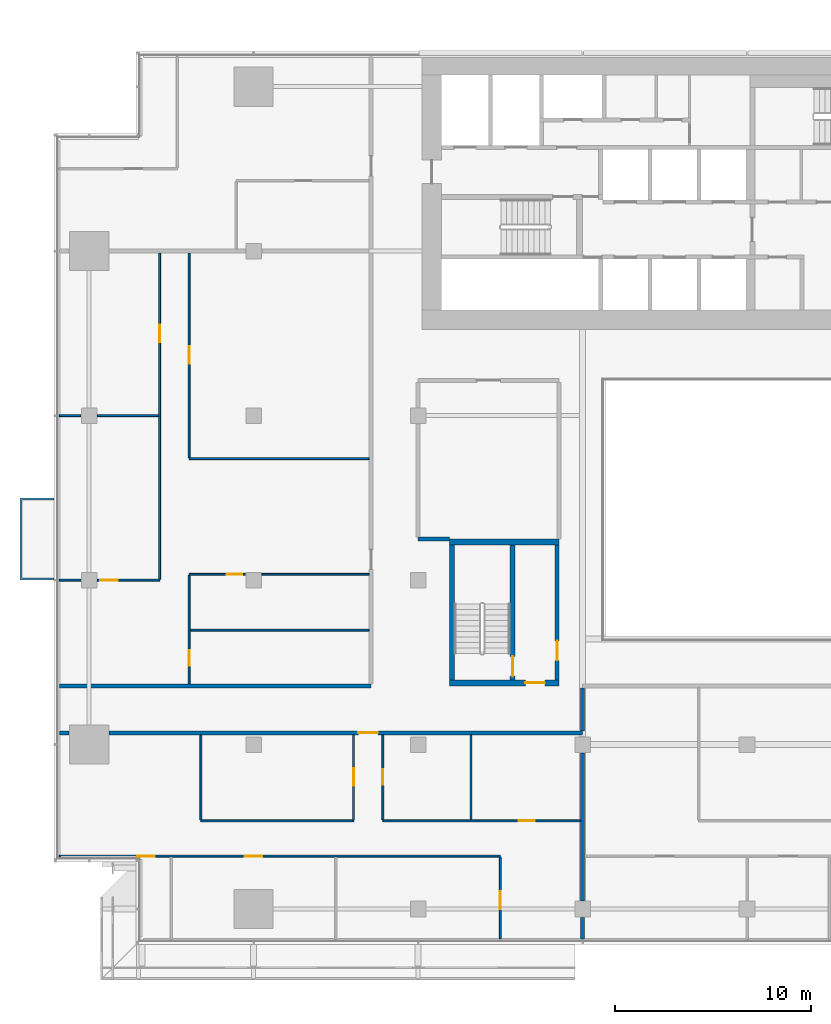
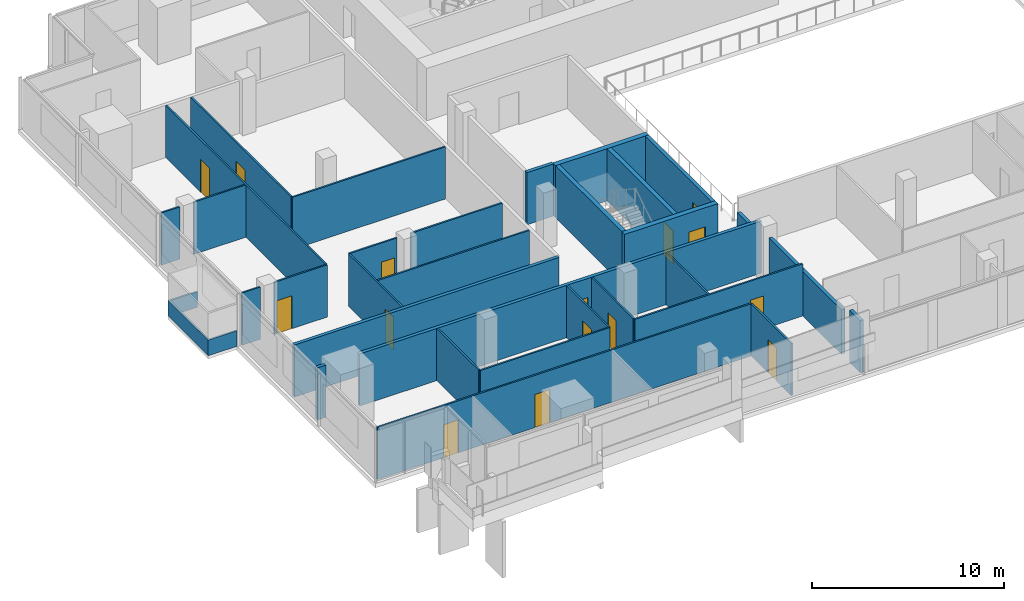
# One storey, part 17 of 29: 32 walls, 15 doors, 15 openings.
"""IFC4 building model written with IfcOpenShell, lengths in metres."""

import ifcopenshell
import ifcopenshell.guid

model = None  # the IFC model being written
_history = None  # IfcOwnerHistory: only IFC2X3 demands one
_inside = {}  # id of a spatial element -> (the spatial element, [elements in it])
_under = {}  # id of a project, library or spatial element -> (it, [spatial elements below it])
_declared = {}  # id of a project -> (the project, [libraries it declares])
_typed = {}  # id of a type object -> (the type object, [elements of that type])
_made_of = {}  # id of a material, layer set ... -> (it, [elements and type objects made of it])


def new_model(schema):
    """Start an empty IFC model of exactly this schema.

    Asked for "IFC4X3", IfcOpenShell would pick the latest addendum, in which some entities
    have other attributes; the version numbers below select the first issue.
    IFC2X3 requires an IfcOwnerHistory on every rooted entity: one is made here for all.
    """
    global model, _history
    if schema == "IFC4X3":
        model = ifcopenshell.file(schema_version=(4, 3, 0, 0))
    else:
        model = ifcopenshell.file(schema=schema)
    _inside.clear()
    _under.clear()
    _declared.clear()
    _typed.clear()
    _made_of.clear()
    _history = None
    if model.schema == "IFC2X3":
        org = make("IfcOrganization", Name="unknown")
        user = make(
            "IfcPersonAndOrganization",
            ThePerson=make("IfcPerson", FamilyName="unknown"),
            TheOrganization=org,
        )
        app = make(
            "IfcApplication",
            ApplicationDeveloper=org,
            Version="unknown",
            ApplicationFullName="unknown",
            ApplicationIdentifier="unknown",
        )
        _history = make(
            "IfcOwnerHistory",
            OwningUser=user,
            OwningApplication=app,
            ChangeAction="ADDED",
            CreationDate=0,
        )
    return model


def make(cls, **values):
    """One entity of the class cls with the attributes given. An attribute that is None is left unset."""
    return model.create_entity(
        cls, **{name: value for name, value in values.items() if value is not None}
    )


def rooted(cls, **values):
    """An entity with a GlobalId (a new one), such as an element, a storey or a relation."""
    return make(cls, GlobalId=ifcopenshell.guid.new(), OwnerHistory=_history, **values)


def si_unit(unit_type, name, prefix=None):
    """IfcSIUnit, for example si_unit("LENGTHUNIT", "METRE", prefix="MILLI")."""
    return make("IfcSIUnit", UnitType=unit_type, Prefix=prefix, Name=name)


def assignment(units):
    """IfcUnitAssignment: the units of a project."""
    return None if units is None else make("IfcUnitAssignment", Units=units)


def point(xyz):
    """IfcCartesianPoint."""
    return None if xyz is None else make("IfcCartesianPoint", Coordinates=xyz)


def direction(xyz):
    """IfcDirection."""
    return None if xyz is None else make("IfcDirection", DirectionRatios=xyz)


def frame(location, z_axis=None, x_axis=None):
    """IfcAxis2Placement3D, a coordinate frame: its origin and axes. An axis left out is left unset."""
    return make(
        "IfcAxis2Placement3D",
        Location=point(location),
        Axis=direction(z_axis),
        RefDirection=direction(x_axis),
    )


def frame_2d(location, x_axis=None):
    """IfcAxis2Placement2D, a coordinate frame in the plane: its origin and x axis."""
    return make(
        "IfcAxis2Placement2D", Location=point(location), RefDirection=direction(x_axis)
    )


def origin():
    """The frame at (0, 0, 0) with its axes left unset."""
    return frame((0.0, 0.0, 0.0))


def place(relative_to, where):
    """IfcLocalPlacement: puts the frame where relative to a parent placement (None: the world)."""
    return make(
        "IfcLocalPlacement", PlacementRelTo=relative_to, RelativePlacement=where
    )


def context(
    kind, dimensions, precision=None, world=None, true_north=None, identifier=None
):
    """IfcGeometricRepresentationContext, for example the 3D "Model" context."""
    return make(
        "IfcGeometricRepresentationContext",
        ContextIdentifier=identifier,
        ContextType=kind,
        CoordinateSpaceDimension=dimensions,
        Precision=precision,
        WorldCoordinateSystem=world,
        TrueNorth=true_north,
    )


def subcontext(parent, identifier, kind, view, scale=None):
    """IfcGeometricRepresentationSubContext, for example "Body" below "Model"."""
    return make(
        "IfcGeometricRepresentationSubContext",
        ContextIdentifier=identifier,
        ContextType=kind,
        ParentContext=parent,
        TargetScale=scale,
        TargetView=view,
    )


def project(units=None, contexts=None):
    """IfcProject with its units and contexts."""
    return rooted(
        "IfcProject",
        Name="project",
        RepresentationContexts=contexts,
        UnitsInContext=assignment(units),
    )


def spatial(cls, under=None, at=None, **own):
    """A site, building, storey or space (cls), placed at a placement, below another one or the project."""
    s = rooted(cls, ObjectPlacement=at, **own)
    if under is not None:
        _under.setdefault(under.id(), (under, []))[1].append(s)
    return s


def polyline(points):
    """IfcPolyline through the points."""
    return make("IfcPolyline", Points=[point(p) for p in points])


def profile(cls, at=None, kind="AREA", **sizes):
    """A parametric profile (cls). Its sizes go by their IFC names, for example OverallWidth=200.0."""
    return make(cls, ProfileType=kind, Position=at, **sizes)


def rectangle(**sizes):
    """IfcRectangleProfileDef."""
    return profile("IfcRectangleProfileDef", **sizes)


def outline(outer, holes=None, kind="AREA"):
    """IfcArbitraryClosedProfileDef: a profile drawn as a closed curve; with holes, ...WithVoids."""
    if holes is None:
        return make("IfcArbitraryClosedProfileDef", ProfileType=kind, OuterCurve=outer)
    return make(
        "IfcArbitraryProfileDefWithVoids",
        ProfileType=kind,
        OuterCurve=outer,
        InnerCurves=holes,
    )


def extrude(swept, where, along, depth):
    """IfcExtrudedAreaSolid: the profile swept, set in the frame where, extruded along a direction by depth."""
    return make(
        "IfcExtrudedAreaSolid",
        SweptArea=swept,
        Position=where,
        ExtrudedDirection=direction(along),
        Depth=depth,
    )


def shape(context_of_items, identifier, shape_type, items):
    """IfcShapeRepresentation: the items that make up one representation, for example the "Body"."""
    return make(
        "IfcShapeRepresentation",
        ContextOfItems=context_of_items,
        RepresentationIdentifier=identifier,
        RepresentationType=shape_type,
        Items=items,
    )


def material(Name=None, Category=None):
    """IfcMaterial."""
    return make("IfcMaterial", Name=Name, Category=Category)


def layer(
    of_material, thickness, ventilated=None, Name=None, Category=None, Priority=None
):
    """IfcMaterialLayer: one layer of a wall or slab, of a material (None: an air gap)."""
    return make(
        "IfcMaterialLayer",
        Material=of_material,
        LayerThickness=thickness,
        IsVentilated=ventilated,
        Name=Name,
        Category=Category,
        Priority=Priority,
    )


def layer_set(layers, Name=None):
    """IfcMaterialLayerSet."""
    return make("IfcMaterialLayerSet", MaterialLayers=layers, LayerSetName=Name)


def made_of(thing, what):
    """Note that an element or type object is made of a material, layer set ...; save() writes the relation."""
    if what is not None:
        _made_of.setdefault(what.id(), (what, []))[1].append(thing)
    return thing


def type_object(cls, material=None, **own):
    """A type object (cls), such as IfcWallType, which elements share."""
    return made_of(rooted(cls, **own), material)


def element(
    cls,
    number,
    at=None,
    inside=None,
    cuts=None,
    type_object=None,
    material=None,
    context=None,
    identifier="Body",
    shape_type=None,
    held_by="IfcProductDefinitionShape",
    body=None,
    shapes=None,
    **own,
):
    """One element of the class cls, such as IfcWall. Its Tag is "e" and its number.

    at: its placement. inside: the storey or other place that contains it. cuts: it is an
    opening in that element (IfcRelVoidsElement). A single representation is given by context,
    identifier, shape_type and body (its items); several are given by shapes. held_by: the class
    of the entity that holds the representations. save() writes the other relations.
    """
    e = rooted(cls, Tag="e%d" % number, ObjectPlacement=at, **own)
    if body is not None:
        shapes = [shape(context, identifier, shape_type, body)]
    if shapes is not None:
        e.Representation = make(held_by, Representations=shapes)
    if inside is not None:
        _inside.setdefault(inside.id(), (inside, []))[1].append(e)
    if cuts is not None:
        rooted(
            "IfcRelVoidsElement", RelatingBuildingElement=cuts, RelatedOpeningElement=e
        )
    if type_object is not None:
        _typed.setdefault(type_object.id(), (type_object, []))[1].append(e)
    return made_of(e, material)


def fill(opening, filler):
    """IfcRelFillsElement: the door or window that sits in an opening."""
    return rooted(
        "IfcRelFillsElement",
        RelatingOpeningElement=opening,
        RelatedBuildingElement=filler,
    )


def aggregate(whole, parts):
    """IfcRelAggregates: a whole, such as a stair, and the parts it consists of."""
    return rooted("IfcRelAggregates", RelatingObject=whole, RelatedObjects=parts)


def save(model, path):
    """Write the relations noted so far, then the file.

    IfcRelAggregates (storeys below a building ...), IfcRelContainedInSpatialStructure (elements
    in a storey), IfcRelDefinesByType, IfcRelAssociatesMaterial and IfcRelDeclares: one each for
    every whole, place, type object, material and project.
    """
    for whole, parts in _under.values():
        aggregate(whole, parts)
    for where, things in _inside.values():
        rooted(
            "IfcRelContainedInSpatialStructure",
            RelatedElements=things,
            RelatingStructure=where,
        )
    for kind, things in _typed.values():
        rooted("IfcRelDefinesByType", RelatedObjects=things, RelatingType=kind)
    for what, things in _made_of.values():
        rooted("IfcRelAssociatesMaterial", RelatedObjects=things, RelatingMaterial=what)
    for by, libraries in _declared.values():
        rooted("IfcRelDeclares", RelatingContext=by, RelatedDefinitions=libraries)
    model.write(path)


model = new_model("IFC4")

# Units and contexts
model_context = context("Model", 3, precision=1e-05, world=origin(), true_north=direction((0.0, 1.0)))
body_context = subcontext(model_context, "Body", "Model", "MODEL_VIEW")
ifc_project = project(units=[si_unit("LENGTHUNIT", "METRE"), si_unit("AREAUNIT", "SQUARE_METRE"), si_unit("VOLUMEUNIT", "CUBIC_METRE"), si_unit("PLANEANGLEUNIT", "RADIAN"), si_unit("MASSUNIT", "GRAM", prefix="KILO")], contexts=[model_context])

# Site, building, storey
site_placement = place(None, origin())
site = spatial("IfcSite", under=ifc_project, at=site_placement, CompositionType="ELEMENT")
building_placement = place(site_placement, origin())
building = spatial("IfcBuilding", under=site, at=building_placement, Name="Saffron Gate Tower", CompositionType="ELEMENT")
storey_placement = place(building_placement, frame((0.0, 0.0, 116.85009765625)))
storey = spatial("IfcBuildingStorey", under=building, at=storey_placement, Name="L27", CompositionType="ELEMENT", Elevation=116.85009765625)

# Wall, opening, door
ifc_material_1 = material(Name="Gypsum board partition on steel studs", Category="steel")
ifc_layer_1 = layer(ifc_material_1, 0.199951171875)
ifc_layer_set_1 = layer_set([ifc_layer_1], Name="CW10 Core partition 200")
wall_type_1 = type_object("IfcWallType", Name="CW10 Core partition 200", PredefinedType="PARTITIONING", material=ifc_layer_set_1)
wall_1_placement = place(storey_placement, frame((73.699951171875, 43.5, 0.0), z_axis=(0.0, 0.0, 1.0), x_axis=(0.0, 1.0, 0.0)))
wall_1 = element("IfcWall", 1, at=wall_1_placement, inside=storey, type_object=wall_type_1, Name="Wall CW10-L27-D-4", PredefinedType="PARTITIONING", context=body_context, shape_type="SweptSolid", body=[
    extrude(rectangle(XDim=6.89990234375, YDim=0.199951171875, at=frame_2d((3.449951171875, 0.0))), origin(), (0.0, 0.0, 1.0), 3.31982421875),
])
opening_1_placement = place(wall_1_placement, frame((1.0, 0.0, 0.0)))
opening_1 = element("IfcOpeningElement", 2, at=opening_1_placement, cuts=wall_1, Name="Opening CR-19", PredefinedType="OPENING", context=body_context, shape_type="SweptSolid", body=[
    extrude(rectangle(XDim=1.0, YDim=2.10009765625, at=frame_2d((0.5, 1.050048828125))), frame((0.0, 0.10986328125, 0.0), z_axis=(0.0, -1.0, 0.0), x_axis=(1.0, 0.0, 0.0)), (0.0, 0.0, 1.0), 0.219970703125),
])
ifc_material_2 = material(Name="Steel fire door set", Category="steel")
door_type_1 = type_object("IfcDoorType", Name="CD4 Lobby door 1000x2100 EI 120", OperationType="NOTDEFINED", PredefinedType="DOOR", material=ifc_material_2)
door_1_placement = place(opening_1_placement, origin())
door_1 = element("IfcDoor", 3, at=door_1_placement, inside=storey, type_object=door_type_1, Name="DOOR CR-19", OperationType="SINGLE_SWING_RIGHT", OverallHeight=2.10009765625, OverallWidth=1.0, PredefinedType="DOOR", context=body_context, shape_type="SweptSolid", body=[
    extrude(rectangle(XDim=1.0, YDim=2.10009765625, at=frame_2d((0.5, 1.050048828125))), frame((0.0, 0.02490234375, 0.0), z_axis=(0.0, -1.0, 0.0), x_axis=(1.0, 0.0, 0.0)), (0.0, 0.0, 1.0), 0.050048828125),
])
fill(opening_1, door_1)

# Wall
ifc_material_3 = material(Name="Concrete C70", Category="concrete")
ifc_layer_2 = layer(ifc_material_3, 0.25)
ifc_layer_set_2 = layer_set([ifc_layer_2], Name="CW2 RC core wall 250 C70")
wall_type_2 = type_object("IfcWallType", Name="CW2 RC core wall 250 C70", PredefinedType="SOLIDWALL", material=ifc_layer_set_2)
wall_2_placement = place(storey_placement, frame((68.324951171875, 43.5, 0.0), z_axis=(0.0, 0.0, 1.0), x_axis=(0.0, 1.0, 0.0)))
element("IfcWall", 4, at=wall_2_placement, inside=storey, type_object=wall_type_2, Name="Wall CW2-L27-D-2", PredefinedType="SOLIDWALL", context=body_context, shape_type="SweptSolid", body=[
    extrude(rectangle(XDim=6.89990234375, YDim=0.25, at=frame_2d((3.449951171875, 0.0))), origin(), (0.0, 0.0, 1.0), 3.31982421875),
])

# Wall, opening, door
wall_3_placement = place(storey_placement, frame((71.425048828125, 43.5, 0.0), z_axis=(0.0, 0.0, 1.0), x_axis=(0.0, 1.0, 0.0)))
wall_3 = element("IfcWall", 5, at=wall_3_placement, inside=storey, type_object=wall_type_2, Name="Wall CW2-L27-D-3", PredefinedType="SOLIDWALL", context=body_context, shape_type="SweptSolid", body=[
    extrude(rectangle(XDim=6.89990234375, YDim=0.25, at=frame_2d((3.449951171875, 0.0))), origin(), (0.0, 0.0, 1.0), 3.31982421875),
])
opening_2_placement = place(wall_3_placement, frame((0.199951171875, 0.0, 0.0)))
opening_2 = element("IfcOpeningElement", 6, at=opening_2_placement, cuts=wall_3, Name="Opening CR-20", PredefinedType="OPENING", context=body_context, shape_type="SweptSolid", body=[
    extrude(rectangle(XDim=1.0, YDim=2.10009765625, at=frame_2d((0.5, 1.050048828125))), frame((0.0, 0.135009765625, 0.0), z_axis=(0.0, -1.0, 0.0), x_axis=(1.0, 0.0, 0.0)), (0.0, 0.0, 1.0), 0.27001953125),
])
door_type_2 = type_object("IfcDoorType", Name="CD5 Stair door 1000x2100 EI 120", OperationType="NOTDEFINED", PredefinedType="DOOR", material=ifc_material_2)
door_2_placement = place(opening_2_placement, origin())
door_2 = element("IfcDoor", 7, at=door_2_placement, inside=storey, type_object=door_type_2, Name="DOOR CR-20", OperationType="SINGLE_SWING_LEFT", OverallHeight=2.10009765625, OverallWidth=1.0, PredefinedType="DOOR", context=body_context, shape_type="SweptSolid", body=[
    extrude(rectangle(XDim=1.0, YDim=2.10009765625, at=frame_2d((0.5, 1.050048828125))), frame((0.0, 0.02490234375, 0.0), z_axis=(0.0, -1.0, 0.0), x_axis=(1.0, 0.0, 0.0)), (0.0, 0.0, 1.0), 0.050048828125),
])
fill(opening_2, door_2)

ifc_layer_3 = layer(ifc_material_3, 0.300048828125)
ifc_layer_set_3 = layer_set([ifc_layer_3], Name="CW5 RC core wall 300 C70")
wall_type_3 = type_object("IfcWallType", Name="CW5 RC core wall 300 C70", PredefinedType="SOLIDWALL", material=ifc_layer_set_3)
wall_4_placement = place(storey_placement, frame((68.199951171875, 43.35009765625, 0.0), z_axis=(0.0, 0.0, 1.0), x_axis=(1.0, 0.0, 0.0)))
wall_4 = element("IfcWall", 8, at=wall_4_placement, inside=storey, type_object=wall_type_3, Name="Wall CW5-L27-D-1", PredefinedType="SOLIDWALL", context=body_context, shape_type="SweptSolid", body=[
    extrude(rectangle(XDim=5.60009765625, YDim=0.300048828125, at=frame_2d((2.800048828125, 0.0))), origin(), (0.0, 0.0, 1.0), 3.31982421875),
])
opening_3_placement = place(wall_4_placement, frame((3.875, 0.0, 0.0)))
opening_3 = element("IfcOpeningElement", 9, at=opening_3_placement, cuts=wall_4, Name="Opening CR-18", PredefinedType="OPENING", context=body_context, shape_type="SweptSolid", body=[
    extrude(rectangle(XDim=1.0, YDim=2.10009765625, at=frame_2d((0.5, 1.050048828125))), frame((0.0, 0.16015625, 0.0), z_axis=(0.0, -1.0, 0.0), x_axis=(1.0, 0.0, 0.0)), (0.0, 0.0, 1.0), 0.320068359375),
])
door_3_placement = place(opening_3_placement, origin())
door_3 = element("IfcDoor", 10, at=door_3_placement, inside=storey, type_object=door_type_1, Name="DOOR CR-18", OperationType="SINGLE_SWING_RIGHT", OverallHeight=2.10009765625, OverallWidth=1.0, PredefinedType="DOOR", context=body_context, shape_type="SweptSolid", body=[
    extrude(rectangle(XDim=1.0, YDim=2.10009765625, at=frame_2d((0.5, 1.050048828125))), frame((0.0, 0.02490234375, 0.0), z_axis=(0.0, -1.0, 0.0), x_axis=(1.0, 0.0, 0.0)), (0.0, 0.0, 1.0), 0.050048828125),
])
fill(opening_3, door_3)

# Wall
wall_5_placement = place(storey_placement, frame((68.199951171875, 50.550048828125, 0.0), z_axis=(0.0, 0.0, 1.0), x_axis=(1.0, 0.0, 0.0)))
element("IfcWall", 11, at=wall_5_placement, inside=storey, type_object=wall_type_3, Name="Wall CW5-L27-D-5", PredefinedType="SOLIDWALL", context=body_context, shape_type="SweptSolid", body=[
    extrude(rectangle(XDim=5.60009765625, YDim=0.300048828125, at=frame_2d((2.800048828125, 0.0))), origin(), (0.0, 0.0, 1.0), 3.31982421875),
])

# Wall, openings, doors
ifc_material_4 = material(Name="Plasterboard on steel studs", Category="steel")
ifc_layer_4 = layer(ifc_material_4, 0.10009765625)
ifc_layer_set_4 = layer_set([ifc_layer_4], Name="PW1 Partition 100")
wall_type_4 = type_object("IfcWallType", Name="PW1 Partition 100", PredefinedType="PARTITIONING", material=ifc_layer_set_4)
wall_6_placement = place(storey_placement, frame((70.800048828125, 34.5, 0.0), z_axis=(0.0, 0.0, 1.0), x_axis=(-1.0, 0.0, 0.0)))
wall_6 = element("IfcWall", 12, at=wall_6_placement, inside=storey, type_object=wall_type_4, Name="Partition B3-1", PredefinedType="PARTITIONING", context=body_context, shape_type="SweptSolid", body=[
    extrude(rectangle(XDim=22.52001953125, YDim=0.10009765625, at=frame_2d((11.260009765625, 0.0))), origin(), (0.0, 0.0, 1.0), 3.31982421875),
])
opening_4_placement = place(wall_6_placement, frame((12.14990234375, 0.0, 0.0)))
opening_4 = element("IfcOpeningElement", 13, at=opening_4_placement, cuts=wall_6, Name="Opening B3-9", PredefinedType="OPENING", context=body_context, shape_type="SweptSolid", body=[
    extrude(rectangle(XDim=0.89990234375, YDim=2.10009765625, at=frame_2d((0.449951171875, 1.050048828125))), frame((0.0, 0.06005859375, 0.0), z_axis=(0.0, -1.0, 0.0), x_axis=(1.0, 0.0, 0.0)), (0.0, 0.0, 1.0), 0.1201171875),
])
opening_5_placement = place(wall_6_placement, frame((17.65380859375, 0.0, 0.0)))
opening_5 = element("IfcOpeningElement", 14, at=opening_5_placement, cuts=wall_6, Name="Opening B3-8", PredefinedType="OPENING", context=body_context, shape_type="SweptSolid", body=[
    extrude(rectangle(XDim=0.89990234375, YDim=2.10009765625, at=frame_2d((0.449951171875, 1.050048828125))), frame((0.0, 0.06005859375, 0.0), z_axis=(0.0, -1.0, 0.0), x_axis=(1.0, 0.0, 0.0)), (0.0, 0.0, 1.0), 0.1201171875),
])
ifc_material_5 = material(Name="Timber door set", Category="wood")
door_type_3 = type_object("IfcDoorType", Name="RD1 Room door 900x2100", OperationType="NOTDEFINED", PredefinedType="DOOR", material=ifc_material_5)
door_4_placement = place(opening_4_placement, origin())
door_4 = element("IfcDoor", 15, at=door_4_placement, inside=storey, type_object=door_type_3, Name="Door B3-9", OperationType="SINGLE_SWING_RIGHT", OverallHeight=2.10009765625, OverallWidth=0.89990234375, PredefinedType="DOOR", context=body_context, shape_type="SweptSolid", body=[
    extrude(rectangle(XDim=0.89990234375, YDim=2.10009765625, at=frame_2d((0.449951171875, 1.050048828125))), frame((0.0, 0.02490234375, 0.0), z_axis=(0.0, -1.0, 0.0), x_axis=(1.0, 0.0, 0.0)), (0.0, 0.0, 1.0), 0.050048828125),
])
fill(opening_4, door_4)
door_5_placement = place(opening_5_placement, origin())
door_5 = element("IfcDoor", 16, at=door_5_placement, inside=storey, type_object=door_type_3, Name="Door B3-8", OperationType="SINGLE_SWING_LEFT", OverallHeight=2.10009765625, OverallWidth=0.89990234375, PredefinedType="DOOR", context=body_context, shape_type="SweptSolid", body=[
    extrude(rectangle(XDim=0.89990234375, YDim=2.10009765625, at=frame_2d((0.449951171875, 1.050048828125))), frame((0.0, 0.02490234375, 0.0), z_axis=(0.0, -1.0, 0.0), x_axis=(1.0, 0.0, 0.0)), (0.0, 0.0, 1.0), 0.050048828125),
])
fill(opening_5, door_5)

# Wall
wall_7_placement = place(storey_placement, frame((55.5, 36.300048828125, 0.0), z_axis=(0.0, 0.0, 1.0), x_axis=(1.0, 0.0, 0.0)))
element("IfcWall", 17, at=wall_7_placement, inside=storey, type_object=wall_type_4, Name="Partition B3-5", PredefinedType="PARTITIONING", context=body_context, shape_type="SweptSolid", body=[
    extrude(rectangle(XDim=7.800048828125, YDim=0.10009765625, at=frame_2d((3.89990234375, 0.0))), origin(), (0.0, 0.0, 1.0), 3.31982421875),
])

# Wall, opening, door
wall_8_placement = place(storey_placement, frame((64.800048828125, 36.300048828125, 0.0), z_axis=(0.0, 0.0, 1.0), x_axis=(1.0, 0.0, 0.0)))
wall_8 = element("IfcWall", 18, at=wall_8_placement, inside=storey, type_object=wall_type_4, Name="Partition B3-6", PredefinedType="PARTITIONING", context=body_context, shape_type="SweptSolid", body=[
    extrude(rectangle(XDim=10.099853515625, YDim=0.10009765625, at=frame_2d((5.0498046875, 0.0))), origin(), (0.0, 0.0, 1.0), 3.31982421875),
])
opening_6_placement = place(wall_8_placement, frame((6.949951171875, 0.0, 0.0)))
opening_6 = element("IfcOpeningElement", 19, at=opening_6_placement, cuts=wall_8, Name="Opening B3-33", PredefinedType="OPENING", context=body_context, shape_type="SweptSolid", body=[
    extrude(rectangle(XDim=0.800048828125, YDim=2.10009765625, at=frame_2d((0.39990234375, 1.050048828125))), frame((0.0, 0.06005859375, 0.0), z_axis=(0.0, -1.0, 0.0), x_axis=(1.0, 0.0, 0.0)), (0.0, 0.0, 1.0), 0.1201171875),
])
door_type_4 = type_object("IfcDoorType", Name="RD2 Bathroom door 800x2100", OperationType="NOTDEFINED", PredefinedType="DOOR", material=ifc_material_5)
door_6_placement = place(opening_6_placement, origin())
door_6 = element("IfcDoor", 20, at=door_6_placement, inside=storey, type_object=door_type_4, Name="Door B3-33", OperationType="SINGLE_SWING_RIGHT", OverallHeight=2.10009765625, OverallWidth=0.800048828125, PredefinedType="DOOR", context=body_context, shape_type="SweptSolid", body=[
    extrude(rectangle(XDim=0.800048828125, YDim=2.10009765625, at=frame_2d((0.39990234375, 1.050048828125))), frame((0.0, 0.02490234375, 0.0), z_axis=(0.0, -1.0, 0.0), x_axis=(1.0, 0.0, 0.0)), (0.0, 0.0, 1.0), 0.050048828125),
])
fill(opening_6, door_6)

# Walls
wall_9_placement = place(storey_placement, frame((54.949951171875, 46.049560546875, 0.0), z_axis=(0.0, 0.0, 1.0), x_axis=(1.0, 0.0, 0.0)))
element("IfcWall", 21, at=wall_9_placement, inside=storey, type_object=wall_type_4, Name="Partition B3-16", PredefinedType="PARTITIONING", context=body_context, shape_type="SweptSolid", body=[
    extrude(rectangle(XDim=9.150146484375, YDim=0.10009765625, at=frame_2d((4.5751953125, 0.0))), origin(), (0.0, 0.0, 1.0), 3.31982421875),
])
wall_10_placement = place(storey_placement, frame((48.280029296875, 48.60009765625, 0.0), z_axis=(0.0, 0.0, 1.0), x_axis=(1.0, 0.0, 0.0)))
element("IfcWall", 22, at=wall_10_placement, inside=storey, type_object=wall_type_4, Name="Partition B3-18", PredefinedType="PARTITIONING", context=body_context, shape_type="SweptSolid", body=[
    extrude(rectangle(XDim=1.099853515625, YDim=0.10009765625, at=frame_2d((0.5498046875, 0.0))), origin(), (0.0, 0.0, 1.0), 3.31982421875),
])

# Wall, opening, door
wall_11_placement = place(storey_placement, frame((50.219970703125, 48.60009765625, 0.0), z_axis=(0.0, 0.0, 1.0), x_axis=(1.0, 0.0, 0.0)))
wall_11 = element("IfcWall", 23, at=wall_11_placement, inside=storey, type_object=wall_type_4, Name="Partition B3-19", PredefinedType="PARTITIONING", context=body_context, shape_type="SweptSolid", body=[
    extrude(rectangle(XDim=3.179931640625, YDim=0.10009765625, at=frame_2d((1.58984375, 0.0))), origin(), (0.0, 0.0, 1.0), 3.31982421875),
])
opening_7_placement = place(wall_11_placement, frame((0.14990234375, 0.0, 0.0)))
opening_7 = element("IfcOpeningElement", 24, at=opening_7_placement, cuts=wall_11, Name="Opening B3-22", PredefinedType="OPENING", context=body_context, shape_type="SweptSolid", body=[
    extrude(rectangle(XDim=0.89990234375, YDim=2.10009765625, at=frame_2d((0.449951171875, 1.050048828125))), frame((0.0, 0.06005859375, 0.0), z_axis=(0.0, -1.0, 0.0), x_axis=(1.0, 0.0, 0.0)), (0.0, 0.0, 1.0), 0.1201171875),
])
door_7_placement = place(opening_7_placement, origin())
door_7 = element("IfcDoor", 25, at=door_7_placement, inside=storey, type_object=door_type_3, Name="Door B3-22", OperationType="SINGLE_SWING_LEFT", OverallHeight=2.10009765625, OverallWidth=0.89990234375, PredefinedType="DOOR", context=body_context, shape_type="SweptSolid", body=[
    extrude(rectangle(XDim=0.89990234375, YDim=2.10009765625, at=frame_2d((0.449951171875, 1.050048828125))), frame((0.0, 0.02490234375, 0.0), z_axis=(0.0, -1.0, 0.0), x_axis=(1.0, 0.0, 0.0)), (0.0, 0.0, 1.0), 0.050048828125),
])
fill(opening_7, door_7)

wall_12_placement = place(storey_placement, frame((57.780029296875, 48.89990234375, 0.0), z_axis=(0.0, 0.0, 1.0), x_axis=(-1.0, 0.0, 0.0)))
wall_12 = element("IfcWall", 26, at=wall_12_placement, inside=storey, type_object=wall_type_4, Name="Partition B3-22", PredefinedType="PARTITIONING", context=body_context, shape_type="SweptSolid", body=[
    extrude(rectangle(XDim=2.880126953125, YDim=0.10009765625, at=frame_2d((1.43994140625, 0.0))), origin(), (0.0, 0.0, 1.0), 3.31982421875),
])
opening_8_placement = place(wall_12_placement, frame((0.14990234375, 0.0, 0.0)))
opening_8 = element("IfcOpeningElement", 27, at=opening_8_placement, cuts=wall_12, Name="Opening B3-39", PredefinedType="OPENING", context=body_context, shape_type="SweptSolid", body=[
    extrude(rectangle(XDim=0.800048828125, YDim=2.10009765625, at=frame_2d((0.39990234375, 1.050048828125))), frame((0.0, 0.06005859375, 0.0), z_axis=(0.0, -1.0, 0.0), x_axis=(1.0, 0.0, 0.0)), (0.0, 0.0, 1.0), 0.1201171875),
])
door_8_placement = place(opening_8_placement, origin())
door_8 = element("IfcDoor", 28, at=door_8_placement, inside=storey, type_object=door_type_4, Name="Door B3-39", OperationType="SINGLE_SWING_LEFT", OverallHeight=2.10009765625, OverallWidth=0.800048828125, PredefinedType="DOOR", context=body_context, shape_type="SweptSolid", body=[
    extrude(rectangle(XDim=0.800048828125, YDim=2.10009765625, at=frame_2d((0.39990234375, 1.050048828125))), frame((0.0, 0.02490234375, 0.0), z_axis=(0.0, -1.0, 0.0), x_axis=(1.0, 0.0, 0.0)), (0.0, 0.0, 1.0), 0.050048828125),
])
fill(opening_8, door_8)

# Walls
wall_13_placement = place(storey_placement, frame((58.6201171875, 48.89990234375, 0.0), z_axis=(0.0, 0.0, 1.0), x_axis=(1.0, 0.0, 0.0)))
element("IfcWall", 29, at=wall_13_placement, inside=storey, type_object=wall_type_4, Name="Partition B3-23", PredefinedType="PARTITIONING", context=body_context, shape_type="SweptSolid", body=[
    extrude(rectangle(XDim=5.47998046875, YDim=0.10009765625, at=frame_2d((2.739990234375, 0.0))), origin(), (0.0, 0.0, 1.0), 3.31982421875),
])
wall_14_placement = place(storey_placement, frame((54.89990234375, 54.80859375, 0.0), z_axis=(0.0, 0.0, 1.0), x_axis=(1.0, 0.0, 0.0)))
element("IfcWall", 30, at=wall_14_placement, inside=storey, type_object=wall_type_4, Name="Partition B3-27", PredefinedType="PARTITIONING", context=body_context, shape_type="SweptSolid", body=[
    extrude(rectangle(XDim=9.2001953125, YDim=0.10009765625, at=frame_2d((4.60009765625, 0.0))), origin(), (0.0, 0.0, 1.0), 3.31982421875),
])
wall_15_placement = place(storey_placement, frame((48.280029296875, 57.0, 0.0), z_axis=(0.0, 0.0, 1.0), x_axis=(1.0, 0.0, 0.0)))
element("IfcWall", 31, at=wall_15_placement, inside=storey, type_object=wall_type_4, Name="Partition B3-32", PredefinedType="PARTITIONING", context=body_context, shape_type="SweptSolid", body=[
    extrude(rectangle(XDim=1.099853515625, YDim=0.10009765625, at=frame_2d((0.5498046875, 0.0))), origin(), (0.0, 0.0, 1.0), 3.31982421875),
])
wall_16_placement = place(storey_placement, frame((50.219970703125, 57.0, 0.0), z_axis=(0.0, 0.0, 1.0), x_axis=(1.0, 0.0, 0.0)))
element("IfcWall", 32, at=wall_16_placement, inside=storey, type_object=wall_type_4, Name="Partition B3-33", PredefinedType="PARTITIONING", context=body_context, shape_type="SweptSolid", body=[
    extrude(rectangle(XDim=3.130126953125, YDim=0.10009765625, at=frame_2d((1.56494140625, 0.0))), origin(), (0.0, 0.0, 1.0), 3.31982421875),
])

# Wall, opening, door
wall_17_placement = place(storey_placement, frame((53.39990234375, 48.64990234375, 0.0), z_axis=(0.0, 0.0, 1.0), x_axis=(0.0, 1.0, 0.0)))
wall_17 = element("IfcWall", 33, at=wall_17_placement, inside=storey, type_object=wall_type_4, Name="Partition B3-47", PredefinedType="PARTITIONING", context=body_context, shape_type="SweptSolid", body=[
    extrude(rectangle(XDim=16.650146484375, YDim=0.10009765625, at=frame_2d((8.3251953125, 0.0))), origin(), (0.0, 0.0, 1.0), 3.31982421875),
])
opening_9_placement = place(wall_17_placement, frame((12.10009765625, 0.0, 0.0)))
opening_9 = element("IfcOpeningElement", 34, at=opening_9_placement, cuts=wall_17, Name="Opening B3-23", PredefinedType="OPENING", context=body_context, shape_type="SweptSolid", body=[
    extrude(rectangle(XDim=0.89990234375, YDim=2.10009765625, at=frame_2d((0.449951171875, 1.050048828125))), frame((0.0, 0.06005859375, 0.0), z_axis=(0.0, -1.0, 0.0), x_axis=(1.0, 0.0, 0.0)), (0.0, 0.0, 1.0), 0.1201171875),
])
door_9_placement = place(opening_9_placement, origin())
door_9 = element("IfcDoor", 35, at=door_9_placement, inside=storey, type_object=door_type_3, Name="Door B3-23", OperationType="SINGLE_SWING_RIGHT", OverallHeight=2.10009765625, OverallWidth=0.89990234375, PredefinedType="DOOR", context=body_context, shape_type="SweptSolid", body=[
    extrude(rectangle(XDim=0.89990234375, YDim=2.10009765625, at=frame_2d((0.449951171875, 1.050048828125))), frame((0.0, 0.02490234375, 0.0), z_axis=(0.0, -1.0, 0.0), x_axis=(1.0, 0.0, 0.0)), (0.0, 0.0, 1.0), 0.050048828125),
])
fill(opening_9, door_9)

wall_18_placement = place(storey_placement, frame((54.89990234375, 48.85009765625, 0.0), z_axis=(0.0, 0.0, 1.0), x_axis=(0.0, -1.0, 0.0)))
wall_18 = element("IfcWall", 36, at=wall_18_placement, inside=storey, type_object=wall_type_4, Name="Partition B3-50", PredefinedType="PARTITIONING", context=body_context, shape_type="SweptSolid", body=[
    extrude(rectangle(XDim=5.550048828125, YDim=0.10009765625, at=frame_2d((2.77490234375, 0.0))), origin(), (0.0, 0.0, 1.0), 3.31982421875),
])
opening_10_placement = place(wall_18_placement, frame((3.8251953125, 0.0, 0.0)))
opening_10 = element("IfcOpeningElement", 37, at=opening_10_placement, cuts=wall_18, Name="Opening B3-38", PredefinedType="OPENING", context=body_context, shape_type="SweptSolid", body=[
    extrude(rectangle(XDim=0.800048828125, YDim=2.10009765625, at=frame_2d((0.39990234375, 1.050048828125))), frame((0.0, 0.06005859375, 0.0), z_axis=(0.0, -1.0, 0.0), x_axis=(1.0, 0.0, 0.0)), (0.0, 0.0, 1.0), 0.1201171875),
])
door_10_placement = place(opening_10_placement, origin())
door_10 = element("IfcDoor", 38, at=door_10_placement, inside=storey, type_object=door_type_4, Name="Door B3-38", OperationType="SINGLE_SWING_RIGHT", OverallHeight=2.10009765625, OverallWidth=0.800048828125, PredefinedType="DOOR", context=body_context, shape_type="SweptSolid", body=[
    extrude(rectangle(XDim=0.800048828125, YDim=2.10009765625, at=frame_2d((0.39990234375, 1.050048828125))), frame((0.0, 0.02490234375, 0.0), z_axis=(0.0, -1.0, 0.0), x_axis=(1.0, 0.0, 0.0)), (0.0, 0.0, 1.0), 0.050048828125),
])
fill(opening_10, door_10)

wall_19_placement = place(storey_placement, frame((54.89990234375, 65.300048828125, 0.0), z_axis=(0.0, 0.0, 1.0), x_axis=(0.0, -1.0, 0.0)))
wall_19 = element("IfcWall", 39, at=wall_19_placement, inside=storey, type_object=wall_type_4, Name="Partition B3-51", PredefinedType="PARTITIONING", context=body_context, shape_type="SweptSolid", body=[
    extrude(rectangle(XDim=10.44140625, YDim=0.10009765625, at=frame_2d((5.220703125, 0.0))), origin(), (0.0, 0.0, 1.0), 3.31982421875),
])
opening_11_placement = place(wall_19_placement, frame((4.74560546875, 0.0, 0.0)))
opening_11 = element("IfcOpeningElement", 40, at=opening_11_placement, cuts=wall_19, Name="Opening B3-24", PredefinedType="OPENING", context=body_context, shape_type="SweptSolid", body=[
    extrude(rectangle(XDim=0.89990234375, YDim=2.10009765625, at=frame_2d((0.449951171875, 1.050048828125))), frame((0.0, 0.06005859375, 0.0), z_axis=(0.0, -1.0, 0.0), x_axis=(1.0, 0.0, 0.0)), (0.0, 0.0, 1.0), 0.1201171875),
])
door_11_placement = place(opening_11_placement, origin())
door_11 = element("IfcDoor", 41, at=door_11_placement, inside=storey, type_object=door_type_3, Name="Door B3-24", OperationType="SINGLE_SWING_LEFT", OverallHeight=2.10009765625, OverallWidth=0.89990234375, PredefinedType="DOOR", context=body_context, shape_type="SweptSolid", body=[
    extrude(rectangle(XDim=0.89990234375, YDim=2.10009765625, at=frame_2d((0.449951171875, 1.050048828125))), frame((0.0, 0.02490234375, 0.0), z_axis=(0.0, -1.0, 0.0), x_axis=(1.0, 0.0, 0.0)), (0.0, 0.0, 1.0), 0.050048828125),
])
fill(opening_11, door_11)

# Wall
wall_20_placement = place(storey_placement, frame((55.5, 40.699951171875, 0.0), z_axis=(0.0, 0.0, 1.0), x_axis=(0.0, -1.0, 0.0)))
element("IfcWall", 42, at=wall_20_placement, inside=storey, type_object=wall_type_4, Name="Partition B3-52", PredefinedType="PARTITIONING", context=body_context, shape_type="SweptSolid", body=[
    extrude(rectangle(XDim=4.349853515625, YDim=0.10009765625, at=frame_2d((2.1748046875, 0.0))), origin(), (0.0, 0.0, 1.0), 3.31982421875),
])

# Wall, opening, door
wall_21_placement = place(storey_placement, frame((63.300048828125, 36.35009765625, 0.0), z_axis=(0.0, 0.0, 1.0), x_axis=(0.0, 1.0, 0.0)))
wall_21 = element("IfcWall", 43, at=wall_21_placement, inside=storey, type_object=wall_type_4, Name="Partition B3-55", PredefinedType="PARTITIONING", context=body_context, shape_type="SweptSolid", body=[
    extrude(rectangle(XDim=4.349853515625, YDim=0.10009765625, at=frame_2d((2.1748046875, 0.0))), origin(), (0.0, 0.0, 1.0), 3.31982421875),
])
opening_12_placement = place(wall_21_placement, frame((1.75, 0.0, 0.0)))
opening_12 = element("IfcOpeningElement", 44, at=opening_12_placement, cuts=wall_21, Name="Opening B3-11", PredefinedType="OPENING", context=body_context, shape_type="SweptSolid", body=[
    extrude(rectangle(XDim=0.89990234375, YDim=2.10009765625, at=frame_2d((0.449951171875, 1.050048828125))), frame((0.0, 0.06005859375, 0.0), z_axis=(0.0, -1.0, 0.0), x_axis=(1.0, 0.0, 0.0)), (0.0, 0.0, 1.0), 0.1201171875),
])
door_12_placement = place(opening_12_placement, origin())
door_12 = element("IfcDoor", 45, at=door_12_placement, inside=storey, type_object=door_type_3, Name="Door B3-11", OperationType="SINGLE_SWING_RIGHT", OverallHeight=2.10009765625, OverallWidth=0.89990234375, PredefinedType="DOOR", context=body_context, shape_type="SweptSolid", body=[
    extrude(rectangle(XDim=0.89990234375, YDim=2.10009765625, at=frame_2d((0.449951171875, 1.050048828125))), frame((0.0, 0.02490234375, 0.0), z_axis=(0.0, -1.0, 0.0), x_axis=(1.0, 0.0, 0.0)), (0.0, 0.0, 1.0), 0.050048828125),
])
fill(opening_12, door_12)

wall_22_placement = place(storey_placement, frame((64.800048828125, 40.699951171875, 0.0), z_axis=(0.0, 0.0, 1.0), x_axis=(0.0, -1.0, 0.0)))
wall_22 = element("IfcWall", 46, at=wall_22_placement, inside=storey, type_object=wall_type_4, Name="Partition B3-57", PredefinedType="PARTITIONING", context=body_context, shape_type="SweptSolid", body=[
    extrude(rectangle(XDim=4.349853515625, YDim=0.10009765625, at=frame_2d((2.1748046875, 0.0))), origin(), (0.0, 0.0, 1.0), 3.31982421875),
])
opening_13_placement = place(wall_22_placement, frame((1.75, 0.0, 0.0)))
opening_13 = element("IfcOpeningElement", 47, at=opening_13_placement, cuts=wall_22, Name="Opening B3-32", PredefinedType="OPENING", context=body_context, shape_type="SweptSolid", body=[
    extrude(rectangle(XDim=0.800048828125, YDim=2.10009765625, at=frame_2d((0.39990234375, 1.050048828125))), frame((0.0, 0.06005859375, 0.0), z_axis=(0.0, -1.0, 0.0), x_axis=(1.0, 0.0, 0.0)), (0.0, 0.0, 1.0), 0.1201171875),
])
door_13_placement = place(opening_13_placement, origin())
door_13 = element("IfcDoor", 48, at=door_13_placement, inside=storey, type_object=door_type_4, Name="Door B3-32", OperationType="SINGLE_SWING_LEFT", OverallHeight=2.10009765625, OverallWidth=0.800048828125, PredefinedType="DOOR", context=body_context, shape_type="SweptSolid", body=[
    extrude(rectangle(XDim=0.800048828125, YDim=2.10009765625, at=frame_2d((0.39990234375, 1.050048828125))), frame((0.0, 0.02490234375, 0.0), z_axis=(0.0, -1.0, 0.0), x_axis=(1.0, 0.0, 0.0)), (0.0, 0.0, 1.0), 0.050048828125),
])
fill(opening_13, door_13)

# Wall
wall_23_placement = place(storey_placement, frame((69.300048828125, 40.699951171875, 0.0), z_axis=(0.0, 0.0, 1.0), x_axis=(0.0, -1.0, 0.0)))
element("IfcWall", 49, at=wall_23_placement, inside=storey, type_object=wall_type_4, Name="Partition B3-60", PredefinedType="PARTITIONING", context=body_context, shape_type="SweptSolid", body=[
    extrude(rectangle(XDim=4.349853515625, YDim=0.10009765625, at=frame_2d((2.1748046875, 0.0))), origin(), (0.0, 0.0, 1.0), 3.31982421875),
])

# Wall, opening, door
wall_24_placement = place(storey_placement, frame((70.800048828125, 30.280029296875, 0.0), z_axis=(0.0, 0.0, 1.0), x_axis=(0.0, 1.0, 0.0)))
wall_24 = element("IfcWall", 50, at=wall_24_placement, inside=storey, type_object=wall_type_4, Name="Partition B3-61", PredefinedType="PARTITIONING", context=body_context, shape_type="SweptSolid", body=[
    extrude(rectangle(XDim=4.169921875, YDim=0.10009765625, at=frame_2d((2.0849609375, 0.0))), origin(), (0.0, 0.0, 1.0), 3.31982421875),
])
opening_14_placement = place(wall_24_placement, frame((1.52001953125, 0.0, 0.0)))
opening_14 = element("IfcOpeningElement", 51, at=opening_14_placement, cuts=wall_24, Name="Opening B3-10", PredefinedType="OPENING", context=body_context, shape_type="SweptSolid", body=[
    extrude(rectangle(XDim=0.89990234375, YDim=2.10009765625, at=frame_2d((0.449951171875, 1.050048828125))), frame((0.0, 0.06005859375, 0.0), z_axis=(0.0, -1.0, 0.0), x_axis=(1.0, 0.0, 0.0)), (0.0, 0.0, 1.0), 0.1201171875),
])
door_14_placement = place(opening_14_placement, origin())
door_14 = element("IfcDoor", 52, at=door_14_placement, inside=storey, type_object=door_type_3, Name="Door B3-10", OperationType="SINGLE_SWING_LEFT", OverallHeight=2.10009765625, OverallWidth=0.89990234375, PredefinedType="DOOR", context=body_context, shape_type="SweptSolid", body=[
    extrude(rectangle(XDim=0.89990234375, YDim=2.10009765625, at=frame_2d((0.449951171875, 1.050048828125))), frame((0.0, 0.02490234375, 0.0), z_axis=(0.0, -1.0, 0.0), x_axis=(1.0, 0.0, 0.0)), (0.0, 0.0, 1.0), 0.050048828125),
])
fill(opening_14, door_14)

# Walls
ifc_material_6 = material(Name="Clay brick masonry, rendered", Category="masonry")
ifc_layer_5 = layer(ifc_material_6, 0.199951171875)
ifc_layer_set_5 = layer_set([ifc_layer_5], Name="PW2 Demising wall 200")
wall_type_5 = type_object("IfcWallType", Name="PW2 Demising wall 200", PredefinedType="PARTITIONING", material=ifc_layer_set_5)
wall_25_placement = place(storey_placement, frame((75.0, 31.3798828125, 0.0), z_axis=(0.0, 0.0, 1.0), x_axis=(0.0, -1.0, 0.0)))
element("IfcWall", 53, at=wall_25_placement, inside=storey, type_object=wall_type_5, Name="Wall B3-64", PredefinedType="PARTITIONING", context=body_context, shape_type="SweptSolid", body=[
    extrude(rectangle(XDim=1.099853515625, YDim=0.199951171875, at=frame_2d((0.5498046875, 0.0))), origin(), (0.0, 0.0, 1.0), 3.31982421875),
])
wall_26_placement = place(storey_placement, frame((75.0, 39.780029296875, 0.0), z_axis=(0.0, 0.0, 1.0), x_axis=(0.0, -1.0, 0.0)))
element("IfcWall", 54, at=wall_26_placement, inside=storey, type_object=wall_type_5, Name="Wall B3-65", PredefinedType="PARTITIONING", context=body_context, shape_type="SweptSolid", body=[
    extrude(rectangle(XDim=7.56005859375, YDim=0.199951171875, at=frame_2d((3.780029296875, 0.0))), origin(), (0.0, 0.0, 1.0), 2.829833984375),
])
ifc_layer_6 = layer(ifc_material_6, 0.199951171875)
ifc_layer_set_6 = layer_set([ifc_layer_6], Name="PW3 Corridor wall 200")
wall_type_6 = type_object("IfcWallType", Name="PW3 Corridor wall 200", PredefinedType="PARTITIONING", material=ifc_layer_set_6)
wall_27_placement = place(storey_placement, frame((48.280029296875, 40.800048828125, 0.0), z_axis=(0.0, 0.0, 1.0), x_axis=(1.0, 0.0, 0.0)))
element("IfcWall", 55, at=wall_27_placement, inside=storey, type_object=wall_type_6, Name="Wall B3-9", PredefinedType="PARTITIONING", context=body_context, shape_type="SweptSolid", body=[
    extrude(rectangle(XDim=0.5, YDim=0.199951171875, at=frame_2d((0.25, 0.0))), origin(), (0.0, 0.0, 1.0), 3.31982421875),
])

# Wall, opening, door
wall_28_placement = place(storey_placement, frame((75.0, 40.800048828125, 0.0), z_axis=(0.0, 0.0, 1.0), x_axis=(-1.0, 0.0, 0.0)))
wall_28 = element("IfcWall", 56, at=wall_28_placement, inside=storey, type_object=wall_type_6, Name="Wall B3-10", PredefinedType="PARTITIONING", context=body_context, shape_type="SweptSolid", body=[
    extrude(rectangle(XDim=24.179931640625, YDim=0.199951171875, at=frame_2d((12.08984375, 0.0))), origin(), (0.0, 0.0, 1.0), 3.31982421875),
])
opening_15_placement = place(wall_28_placement, frame((10.449951171875, 0.0, 0.0)))
opening_15 = element("IfcOpeningElement", 57, at=opening_15_placement, cuts=wall_28, Name="Opening B3-1", PredefinedType="OPENING", context=body_context, shape_type="SweptSolid", body=[
    extrude(rectangle(XDim=1.0, YDim=2.10009765625, at=frame_2d((0.5, 1.050048828125))), frame((0.0, 0.10986328125, 0.0), z_axis=(0.0, -1.0, 0.0), x_axis=(1.0, 0.0, 0.0)), (0.0, 0.0, 1.0), 0.219970703125),
])
ifc_material_7 = material(Name="Timber fire door set", Category="wood")
door_type_5 = type_object("IfcDoorType", Name="FD1 Flat entry door 1000x2100", OperationType="NOTDEFINED", PredefinedType="DOOR", material=ifc_material_7)
door_15_placement = place(opening_15_placement, origin())
door_15 = element("IfcDoor", 58, at=door_15_placement, inside=storey, type_object=door_type_5, Name="Door B3-1", OperationType="SINGLE_SWING_LEFT", OverallHeight=2.10009765625, OverallWidth=1.0, PredefinedType="DOOR", context=body_context, shape_type="SweptSolid", body=[
    extrude(rectangle(XDim=1.0, YDim=2.10009765625, at=frame_2d((0.5, 1.050048828125))), frame((0.0, 0.02490234375, 0.0), z_axis=(0.0, -1.0, 0.0), x_axis=(1.0, 0.0, 0.0)), (0.0, 0.0, 1.0), 0.050048828125),
])
fill(opening_15, door_15)

# Walls
wall_29_placement = place(storey_placement, frame((48.280029296875, 43.199951171875, 0.0), z_axis=(0.0, 0.0, 1.0), x_axis=(1.0, 0.0, 0.0)))
element("IfcWall", 59, at=wall_29_placement, inside=storey, type_object=wall_type_6, Name="Wall B3-13", PredefinedType="PARTITIONING", context=body_context, shape_type="SweptSolid", body=[
    extrude(rectangle(XDim=15.919921875, YDim=0.199951171875, at=frame_2d((7.9599609375, 0.0))), origin(), (0.0, 0.0, 1.0), 3.31982421875),
])
wall_30_placement = place(storey_placement, frame((66.60009765625, 50.699951171875, 0.0), z_axis=(0.0, 0.0, 1.0), x_axis=(1.0, 0.0, 0.0)))
element("IfcWall", 60, at=wall_30_placement, inside=storey, type_object=wall_type_6, Name="Wall B3-24", PredefinedType="PARTITIONING", context=body_context, shape_type="SweptSolid", body=[
    extrude(rectangle(XDim=1.599853515625, YDim=0.199951171875, at=frame_2d((0.7998046875, 0.0))), origin(), (0.0, 0.0, 1.0), 3.31982421875),
])
wall_31_placement = place(storey_placement, frame((75.0, 43.10009765625, 0.0), z_axis=(0.0, 0.0, 1.0), x_axis=(0.0, -1.0, 0.0)))
element("IfcWall", 61, at=wall_31_placement, inside=storey, type_object=wall_type_6, Name="Wall B3-63", PredefinedType="PARTITIONING", context=body_context, shape_type="SweptSolid", body=[
    extrude(rectangle(XDim=2.2001953125, YDim=0.199951171875, at=frame_2d((1.10009765625, 0.0))), origin(), (0.0, 0.0, 1.0), 2.429931640625),
])
ifc_material_8 = material(Name="Rendered insulated panel, white")
ifc_layer_7 = layer(ifc_material_8, 0.10009765625)
ifc_layer_set_7 = layer_set([ifc_layer_7], Name="WB3 box parapet white")
wall_type_7 = type_object("IfcWallType", Name="WB3 box parapet white", PredefinedType="SOLIDWALL", material=ifc_layer_set_7)
wall_32_placement = place(storey_placement, origin())
element("IfcWall", 62, at=wall_32_placement, inside=storey, type_object=wall_type_7, Name="WINDOW BOX parapet", PredefinedType="SOLIDWALL", context=body_context, shape_type="SweptSolid", body=[
    extrude(outline(polyline([(48.0, 52.800048828125), (48.0, 52.699951171875), (46.366943359375, 52.699951171875), (46.366943359375, 48.699951171875), (48.0, 48.699951171875), (48.0, 48.60009765625), (46.26708984375, 48.60009765625), (46.26708984375, 52.800048828125), (48.0, 52.800048828125)])), origin(), (0.0, 0.0, 1.0), 1.0),
])

save(model, "model.ifc")
